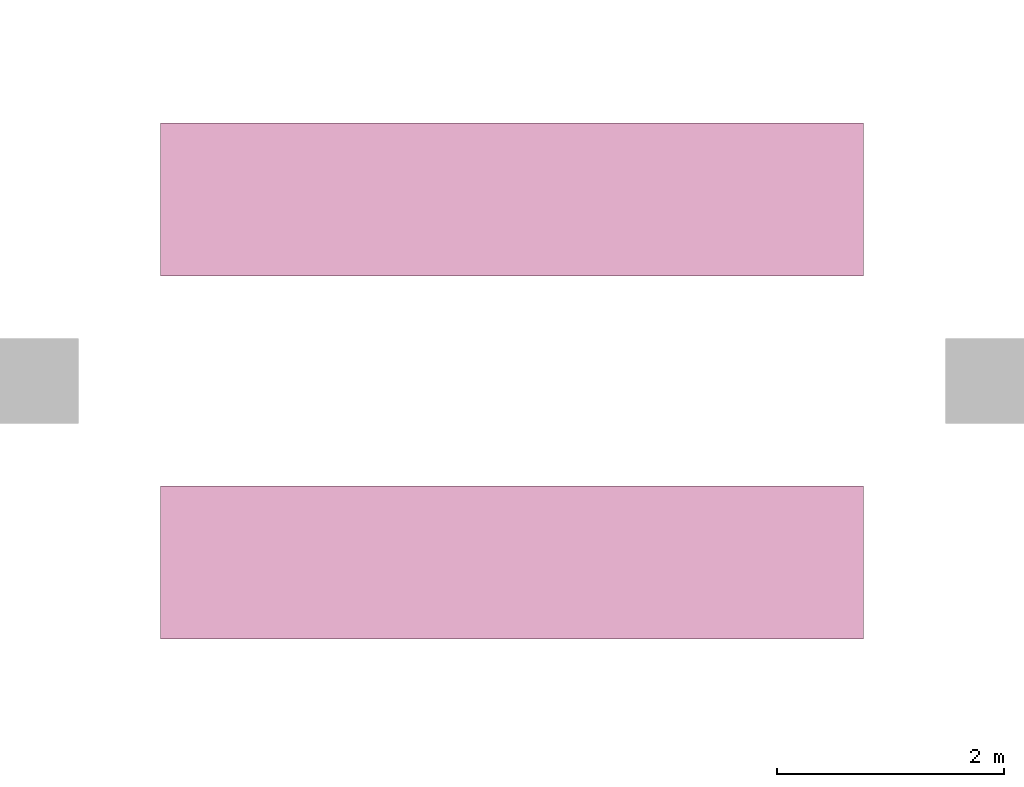
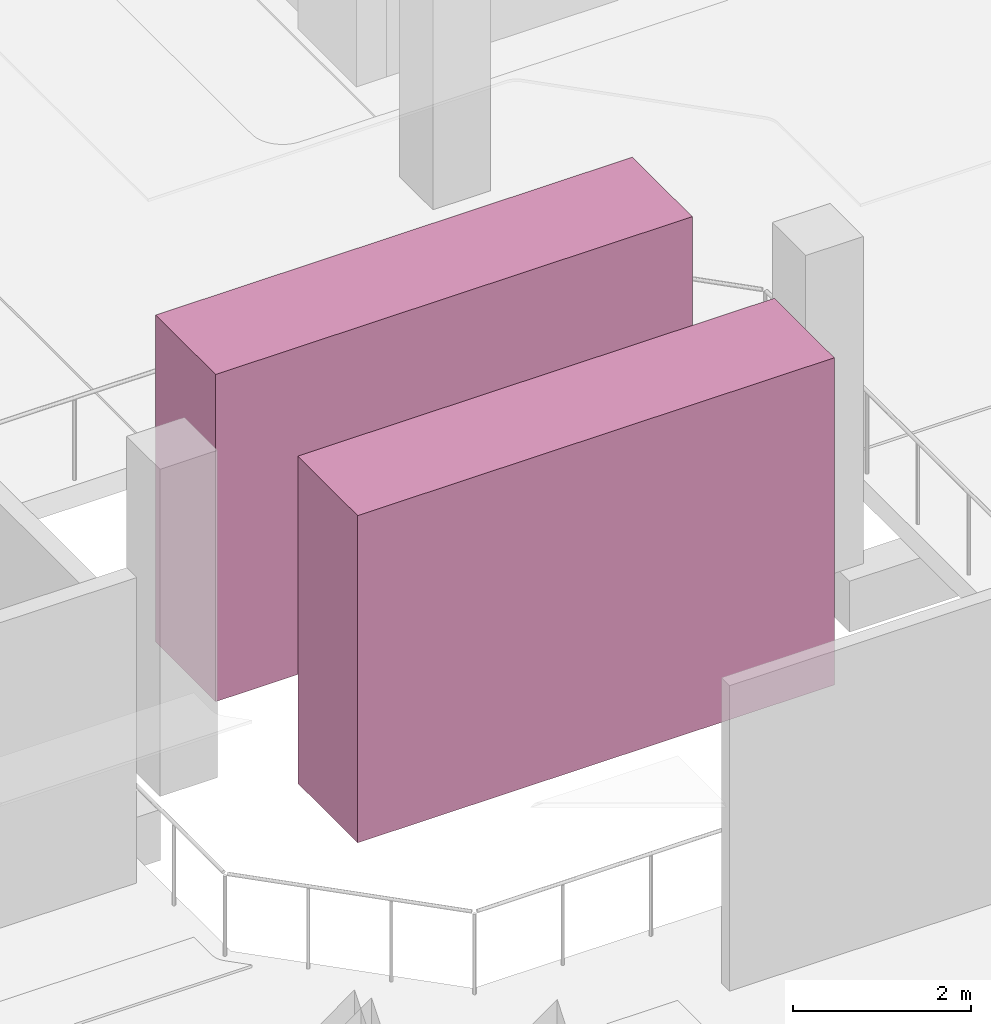
# One storey, part 34 of 34: 2 transport elements.
"""IFC4 building model written with IfcOpenShell, lengths in metres."""

import ifcopenshell
import ifcopenshell.guid

model = None  # the IFC model being written
_history = None  # IfcOwnerHistory: only IFC2X3 demands one
_inside = {}  # id of a spatial element -> (the spatial element, [elements in it])
_under = {}  # id of a project, library or spatial element -> (it, [spatial elements below it])
_declared = {}  # id of a project -> (the project, [libraries it declares])
_typed = {}  # id of a type object -> (the type object, [elements of that type])
_made_of = {}  # id of a material, layer set ... -> (it, [elements and type objects made of it])


def new_model(schema):
    """Start an empty IFC model of exactly this schema.

    Asked for "IFC4X3", IfcOpenShell would pick the latest addendum, in which some entities
    have other attributes; the version numbers below select the first issue.
    IFC2X3 requires an IfcOwnerHistory on every rooted entity: one is made here for all.
    """
    global model, _history
    if schema == "IFC4X3":
        model = ifcopenshell.file(schema_version=(4, 3, 0, 0))
    else:
        model = ifcopenshell.file(schema=schema)
    _inside.clear()
    _under.clear()
    _declared.clear()
    _typed.clear()
    _made_of.clear()
    _history = None
    if model.schema == "IFC2X3":
        org = make("IfcOrganization", Name="unknown")
        user = make(
            "IfcPersonAndOrganization",
            ThePerson=make("IfcPerson", FamilyName="unknown"),
            TheOrganization=org,
        )
        app = make(
            "IfcApplication",
            ApplicationDeveloper=org,
            Version="unknown",
            ApplicationFullName="unknown",
            ApplicationIdentifier="unknown",
        )
        _history = make(
            "IfcOwnerHistory",
            OwningUser=user,
            OwningApplication=app,
            ChangeAction="ADDED",
            CreationDate=0,
        )
    return model


def make(cls, **values):
    """One entity of the class cls with the attributes given. An attribute that is None is left unset."""
    return model.create_entity(
        cls, **{name: value for name, value in values.items() if value is not None}
    )


def rooted(cls, **values):
    """An entity with a GlobalId (a new one), such as an element, a storey or a relation."""
    return make(cls, GlobalId=ifcopenshell.guid.new(), OwnerHistory=_history, **values)


def si_unit(unit_type, name, prefix=None):
    """IfcSIUnit, for example si_unit("LENGTHUNIT", "METRE", prefix="MILLI")."""
    return make("IfcSIUnit", UnitType=unit_type, Prefix=prefix, Name=name)


def assignment(units):
    """IfcUnitAssignment: the units of a project."""
    return None if units is None else make("IfcUnitAssignment", Units=units)


def point(xyz):
    """IfcCartesianPoint."""
    return None if xyz is None else make("IfcCartesianPoint", Coordinates=xyz)


def direction(xyz):
    """IfcDirection."""
    return None if xyz is None else make("IfcDirection", DirectionRatios=xyz)


def frame(location, z_axis=None, x_axis=None):
    """IfcAxis2Placement3D, a coordinate frame: its origin and axes. An axis left out is left unset."""
    return make(
        "IfcAxis2Placement3D",
        Location=point(location),
        Axis=direction(z_axis),
        RefDirection=direction(x_axis),
    )


def frame_2d(location, x_axis=None):
    """IfcAxis2Placement2D, a coordinate frame in the plane: its origin and x axis."""
    return make(
        "IfcAxis2Placement2D", Location=point(location), RefDirection=direction(x_axis)
    )


def origin():
    """The frame at (0, 0, 0) with its axes left unset."""
    return frame((0.0, 0.0, 0.0))


def origin_2d():
    """The frame at (0, 0) in the plane with its x axis left unset."""
    return frame_2d((0.0, 0.0))


def place(relative_to, where):
    """IfcLocalPlacement: puts the frame where relative to a parent placement (None: the world)."""
    return make(
        "IfcLocalPlacement", PlacementRelTo=relative_to, RelativePlacement=where
    )


def context(
    kind, dimensions, precision=None, world=None, true_north=None, identifier=None
):
    """IfcGeometricRepresentationContext, for example the 3D "Model" context."""
    return make(
        "IfcGeometricRepresentationContext",
        ContextIdentifier=identifier,
        ContextType=kind,
        CoordinateSpaceDimension=dimensions,
        Precision=precision,
        WorldCoordinateSystem=world,
        TrueNorth=true_north,
    )


def subcontext(parent, identifier, kind, view, scale=None):
    """IfcGeometricRepresentationSubContext, for example "Body" below "Model"."""
    return make(
        "IfcGeometricRepresentationSubContext",
        ContextIdentifier=identifier,
        ContextType=kind,
        ParentContext=parent,
        TargetScale=scale,
        TargetView=view,
    )


def project(units=None, contexts=None):
    """IfcProject with its units and contexts."""
    return rooted(
        "IfcProject",
        Name="project",
        RepresentationContexts=contexts,
        UnitsInContext=assignment(units),
    )


def spatial(cls, under=None, at=None, **own):
    """A site, building, storey or space (cls), placed at a placement, below another one or the project."""
    s = rooted(cls, ObjectPlacement=at, **own)
    if under is not None:
        _under.setdefault(under.id(), (under, []))[1].append(s)
    return s


def profile(cls, at=None, kind="AREA", **sizes):
    """A parametric profile (cls). Its sizes go by their IFC names, for example OverallWidth=200.0."""
    return make(cls, ProfileType=kind, Position=at, **sizes)


def rectangle(**sizes):
    """IfcRectangleProfileDef."""
    return profile("IfcRectangleProfileDef", **sizes)


def extrude(swept, where, along, depth):
    """IfcExtrudedAreaSolid: the profile swept, set in the frame where, extruded along a direction by depth."""
    return make(
        "IfcExtrudedAreaSolid",
        SweptArea=swept,
        Position=where,
        ExtrudedDirection=direction(along),
        Depth=depth,
    )


def shape(context_of_items, identifier, shape_type, items):
    """IfcShapeRepresentation: the items that make up one representation, for example the "Body"."""
    return make(
        "IfcShapeRepresentation",
        ContextOfItems=context_of_items,
        RepresentationIdentifier=identifier,
        RepresentationType=shape_type,
        Items=items,
    )


def material(Name=None, Category=None):
    """IfcMaterial."""
    return make("IfcMaterial", Name=Name, Category=Category)


def made_of(thing, what):
    """Note that an element or type object is made of a material, layer set ...; save() writes the relation."""
    if what is not None:
        _made_of.setdefault(what.id(), (what, []))[1].append(thing)
    return thing


def type_object(cls, material=None, **own):
    """A type object (cls), such as IfcWallType, which elements share."""
    return made_of(rooted(cls, **own), material)


def element(
    cls,
    number,
    at=None,
    inside=None,
    cuts=None,
    type_object=None,
    material=None,
    context=None,
    identifier="Body",
    shape_type=None,
    held_by="IfcProductDefinitionShape",
    body=None,
    shapes=None,
    **own,
):
    """One element of the class cls, such as IfcWall. Its Tag is "e" and its number.

    at: its placement. inside: the storey or other place that contains it. cuts: it is an
    opening in that element (IfcRelVoidsElement). A single representation is given by context,
    identifier, shape_type and body (its items); several are given by shapes. held_by: the class
    of the entity that holds the representations. save() writes the other relations.
    """
    e = rooted(cls, Tag="e%d" % number, ObjectPlacement=at, **own)
    if body is not None:
        shapes = [shape(context, identifier, shape_type, body)]
    if shapes is not None:
        e.Representation = make(held_by, Representations=shapes)
    if inside is not None:
        _inside.setdefault(inside.id(), (inside, []))[1].append(e)
    if cuts is not None:
        rooted(
            "IfcRelVoidsElement", RelatingBuildingElement=cuts, RelatedOpeningElement=e
        )
    if type_object is not None:
        _typed.setdefault(type_object.id(), (type_object, []))[1].append(e)
    return made_of(e, material)


def aggregate(whole, parts):
    """IfcRelAggregates: a whole, such as a stair, and the parts it consists of."""
    return rooted("IfcRelAggregates", RelatingObject=whole, RelatedObjects=parts)


def save(model, path):
    """Write the relations noted so far, then the file.

    IfcRelAggregates (storeys below a building ...), IfcRelContainedInSpatialStructure (elements
    in a storey), IfcRelDefinesByType, IfcRelAssociatesMaterial and IfcRelDeclares: one each for
    every whole, place, type object, material and project.
    """
    for whole, parts in _under.values():
        aggregate(whole, parts)
    for where, things in _inside.values():
        rooted(
            "IfcRelContainedInSpatialStructure",
            RelatedElements=things,
            RelatingStructure=where,
        )
    for kind, things in _typed.values():
        rooted("IfcRelDefinesByType", RelatedObjects=things, RelatingType=kind)
    for what, things in _made_of.values():
        rooted("IfcRelAssociatesMaterial", RelatedObjects=things, RelatingMaterial=what)
    for by, libraries in _declared.values():
        rooted("IfcRelDeclares", RelatingContext=by, RelatedDefinitions=libraries)
    model.write(path)


model = new_model("IFC4")

# Units and contexts
model_context = context("Model", 3, precision=1e-05, world=origin(), true_north=direction((0.0, 1.0)))
body_context = subcontext(model_context, "Body", "Model", "MODEL_VIEW")
ifc_project = project(units=[si_unit("LENGTHUNIT", "METRE"), si_unit("AREAUNIT", "SQUARE_METRE"), si_unit("VOLUMEUNIT", "CUBIC_METRE"), si_unit("PLANEANGLEUNIT", "RADIAN"), si_unit("MASSUNIT", "GRAM", prefix="KILO")], contexts=[model_context])

# Site, building, storey
site_placement = place(None, origin())
site = spatial("IfcSite", under=ifc_project, at=site_placement, CompositionType="ELEMENT")
building_placement = place(site_placement, origin())
building = spatial("IfcBuilding", under=site, at=building_placement, Name="Xazarin Passage Department Store", CompositionType="ELEMENT")
storey_placement = place(building_placement, frame((0.0, 0.0, 18.89990234375)))
storey = spatial("IfcBuildingStorey", under=building, at=storey_placement, Name="L04", CompositionType="ELEMENT", Elevation=18.89990234375)

# Transport elements
ifc_material = material(Name="Steel S355", Category="steel")
transport_element_type = type_object("IfcTransportElementType", Name="ARC-TR-ESC1000", PredefinedType="ESCALATOR", material=ifc_material)
for number, where, z_axis, x_axis, name in (
    (1, (21.0, 91.60009765625, 0.0), (0.0, 0.0, 1.0), (1.0, 0.0, 0.0), "L04 Escalator ES09"),
    (2, (21.0, 94.800048828125, 0.0), (0.0, 0.0, 1.0), (1.0, 0.0, 0.0), "L04 Escalator ES10"),
):
    element("IfcTransportElement", number, at=place(storey_placement, frame(where, z_axis=z_axis, x_axis=x_axis)), inside=storey, type_object=transport_element_type, Name=name, PredefinedType="ESCALATOR", context=body_context, shape_type="SweptSolid", body=[
        extrude(rectangle(XDim=6.199951171875, YDim=1.35009765625, at=origin_2d()), origin(), (0.0, 0.0, 1.0), 4.5),
    ])

save(model, "model.ifc")
